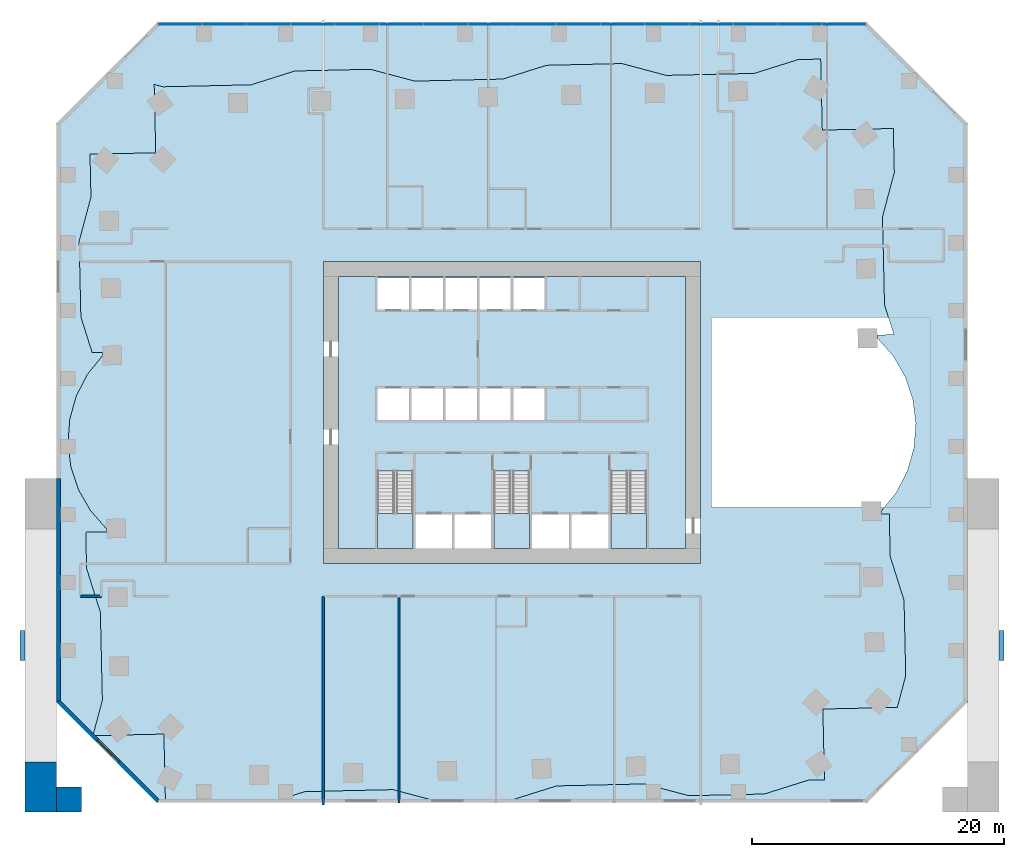
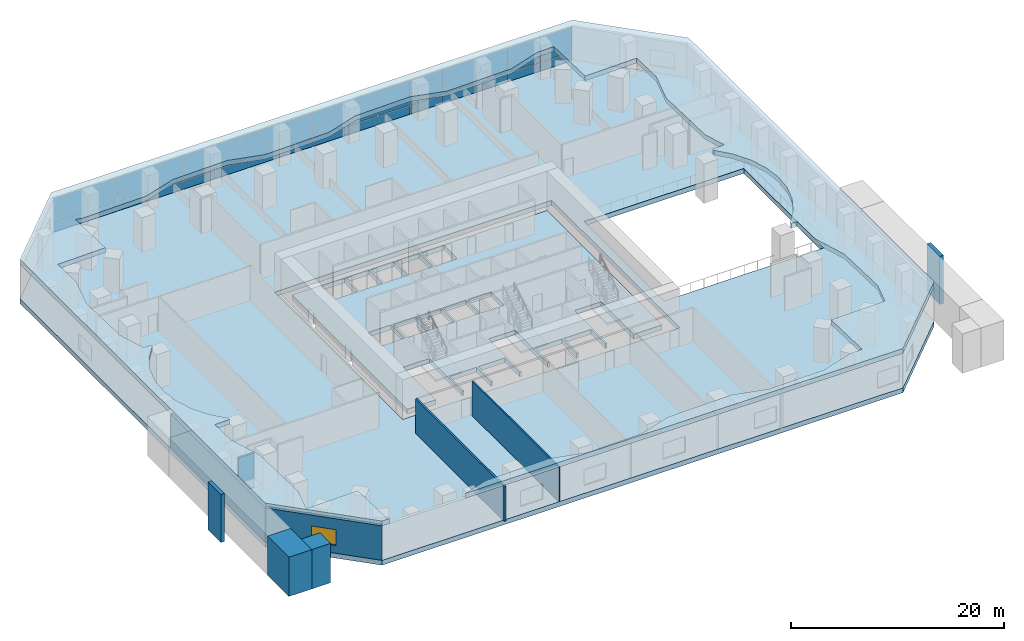
# One storey, part 4 of 12: 34 plates, 7 walls, 6 slabs, 1 window, 1 opening, 4 elements without a shape of their own.
"""IFC4 building model written with IfcOpenShell, lengths in metres."""

from ifc_helpers import new_model, si_unit, direction, frame, frame_2d, origin, origin_2d, place, context, subcontext, project, spatial, polyline, rectangle, outline, extrude, material, layer, layer_set, type_object, element, fill, aggregate, save


model = new_model("IFC4")

# Units and contexts
model_context = context("Model", 3, precision=1e-05, world=origin(), true_north=direction((0.0, 1.0)))
body_context = subcontext(model_context, "Body", "Model", "MODEL_VIEW")
ifc_project = project(units=[si_unit("LENGTHUNIT", "METRE"), si_unit("AREAUNIT", "SQUARE_METRE"), si_unit("VOLUMEUNIT", "CUBIC_METRE"), si_unit("PLANEANGLEUNIT", "RADIAN"), si_unit("MASSUNIT", "GRAM", prefix="KILO")], contexts=[model_context])

# Site, building, storey
site_placement = place(None, origin())
site = spatial("IfcSite", under=ifc_project, at=site_placement, CompositionType="ELEMENT")
building_placement = place(site_placement, origin())
building = spatial("IfcBuilding", under=site, at=building_placement, Name="Mangrove Gate Tower", CompositionType="ELEMENT")
storey_placement = place(building_placement, frame((0.0, 0.0, 25.0)))
storey = spatial("IfcBuildingStorey", under=building, at=storey_placement, Name="L05", CompositionType="ELEMENT", Elevation=25.0)

# Slab
ifc_material_1 = material(Name="Concrete C40/50", Category="concrete")
ifc_layer_1 = layer(ifc_material_1, 0.550048828125)
ifc_layer_set_1 = layer_set([ifc_layer_1], Name="Core floor slab 550 C40/50")
slab_type_1 = type_object("IfcSlabType", Name="Core floor slab 550 C40/50", PredefinedType="FLOOR", material=ifc_layer_set_1)
slab_1_placement = place(storey_placement, frame((0.0, 0.0, -0.550048828125)))
element("IfcSlab", 1, at=slab_1_placement, inside=storey, type_object=slab_type_1, Name="SLAB-L05-CORE-1", PredefinedType="FLOOR", context=body_context, shape_type="SweptSolid", body=[
    extrude(outline(polyline([(-13.800048828125, -10.800048828125), (-13.800048828125, 10.800048828125), (13.800048828125, 10.800048828125), (13.800048828125, -10.800048828125), (10.699951171875, -10.800048828125), (10.699951171875, -4.653076171875), (7.85009765625, -4.653076171875), (7.85009765625, -10.800048828125), (7.64990234375, -10.800048828125), (7.64990234375, -8.10009765625), (4.72509765625, -8.10009765625), (4.72509765625, -10.800048828125), (4.52490234375, -10.800048828125), (4.52490234375, -8.10009765625), (1.60009765625, -8.10009765625), (1.60009765625, -10.800048828125), (1.39990234375, -10.800048828125), (1.39990234375, -4.653076171875), (-1.449951171875, -4.653076171875), (-1.449951171875, -10.800048828125), (-1.64990234375, -10.800048828125), (-1.64990234375, -8.10009765625), (-4.550048828125, -8.10009765625), (-4.550048828125, -10.800048828125), (-4.75, -10.800048828125), (-4.75, -8.10009765625), (-7.64990234375, -8.10009765625), (-7.64990234375, -10.800048828125), (-7.85009765625, -10.800048828125), (-7.85009765625, -4.653076171875), (-10.699951171875, -4.653076171875), (-10.699951171875, -10.800048828125), (-13.800048828125, -10.800048828125)]), holes=[polyline([(-8.199951171875, -0.60009765625), (-8.199951171875, 1.89990234375), (-10.699951171875, 1.89990234375), (-10.699951171875, -0.60009765625), (-8.199951171875, -0.60009765625)]), polyline([(-5.5, -0.60009765625), (-5.5, 1.89990234375), (-8.0, 1.89990234375), (-8.0, -0.60009765625), (-5.5, -0.60009765625)]), polyline([(-2.800048828125, -0.60009765625), (-2.800048828125, 1.89990234375), (-5.300048828125, 1.89990234375), (-5.300048828125, -0.60009765625), (-2.800048828125, -0.60009765625)]), polyline([(-8.199951171875, 8.199951171875), (-8.199951171875, 10.699951171875), (-10.699951171875, 10.699951171875), (-10.699951171875, 8.199951171875), (-8.199951171875, 8.199951171875)]), polyline([(-5.5, 8.199951171875), (-5.5, 10.699951171875), (-8.0, 10.699951171875), (-8.0, 8.199951171875), (-5.5, 8.199951171875)]), polyline([(-2.800048828125, 8.199951171875), (-2.800048828125, 10.699951171875), (-5.300048828125, 10.699951171875), (-5.300048828125, 8.199951171875), (-2.800048828125, 8.199951171875)]), polyline([(-0.10009765625, -0.60009765625), (-0.10009765625, 1.89990234375), (-2.60009765625, 1.89990234375), (-2.60009765625, -0.60009765625), (-0.10009765625, -0.60009765625)]), polyline([(2.60009765625, -0.60009765625), (2.60009765625, 1.89990234375), (0.10009765625, 1.89990234375), (0.10009765625, -0.60009765625), (2.60009765625, -0.60009765625)]), polyline([(-2.60009765625, 8.199951171875), (-0.10009765625, 8.199951171875), (-0.10009765625, 10.699951171875), (-2.60009765625, 10.699951171875), (-2.60009765625, 8.199951171875)]), polyline([(0.10009765625, 8.199951171875), (2.60009765625, 8.199951171875), (2.60009765625, 10.699951171875), (0.10009765625, 10.699951171875), (0.10009765625, 8.199951171875)])]), origin(), (0.0, 0.0, 1.0), 0.550048828125),
])

# Stair, slab
ifc_material_2 = material(Name="Concrete C40/50", Category="concrete")
stair_type = type_object("IfcStairType", Name="Core stair 1350", PredefinedType="HALF_TURN_STAIR", material=ifc_material_2)
stair_1_placement = place(storey_placement, origin())
stair_1 = element("IfcStair", 2, at=stair_1_placement, inside=storey, type_object=stair_type, Name="L05 Stair 1", PredefinedType="HALF_TURN_STAIR")
ifc_material_3 = material(Name="Concrete C40/50", Category="concrete")
ifc_layer_2 = layer(ifc_material_3, 0.199951171875)
ifc_layer_set_2 = layer_set([ifc_layer_2], Name="Core stair landing 200")
slab_type_2 = type_object("IfcSlabType", Name="Core stair landing 200", PredefinedType="LANDING", material=ifc_layer_set_2)
slab_2_placement = place(storey_placement, frame((0.0, 0.0, 2.050048828125)))
slab_2 = element("IfcSlab", 3, at=slab_2_placement, type_object=slab_type_2, Name="ST1 landing 1", PredefinedType="LANDING", context=body_context, shape_type="SweptSolid", body=[
    extrude(outline(polyline([(-10.699951171875, -8.010009765625), (-10.699951171875, -10.800048828125), (-7.85009765625, -10.800048828125), (-7.85009765625, -8.010009765625), (-10.699951171875, -8.010009765625)])), origin(), (0.0, 0.0, 1.0), 0.199951171875),
])
aggregate(stair_1, [slab_2])

stair_2_placement = place(storey_placement, origin())
stair_2 = element("IfcStair", 4, at=stair_2_placement, inside=storey, type_object=stair_type, Name="L05 Stair 2", PredefinedType="HALF_TURN_STAIR")
slab_3_placement = place(storey_placement, frame((0.0, 0.0, 2.050048828125)))
slab_3 = element("IfcSlab", 5, at=slab_3_placement, type_object=slab_type_2, Name="ST2 landing 1", PredefinedType="LANDING", context=body_context, shape_type="SweptSolid", body=[
    extrude(outline(polyline([(-1.449951171875, -8.010009765625), (-1.449951171875, -10.800048828125), (1.39990234375, -10.800048828125), (1.39990234375, -8.010009765625), (-1.449951171875, -8.010009765625)])), origin(), (0.0, 0.0, 1.0), 0.199951171875),
])
aggregate(stair_2, [slab_3])

stair_3_placement = place(storey_placement, origin())
stair_3 = element("IfcStair", 6, at=stair_3_placement, inside=storey, type_object=stair_type, Name="L05 Stair 3", PredefinedType="HALF_TURN_STAIR")
slab_4_placement = place(storey_placement, frame((0.0, 0.0, 2.050048828125)))
slab_4 = element("IfcSlab", 7, at=slab_4_placement, type_object=slab_type_2, Name="ST3 landing 1", PredefinedType="LANDING", context=body_context, shape_type="SweptSolid", body=[
    extrude(outline(polyline([(7.85009765625, -8.010009765625), (7.85009765625, -10.800048828125), (10.699951171875, -10.800048828125), (10.699951171875, -8.010009765625), (7.85009765625, -8.010009765625)])), origin(), (0.0, 0.0, 1.0), 0.199951171875),
])
aggregate(stair_3, [slab_4])

# Slab
ifc_material_4 = material(Name="Concrete C40/50", Category="concrete")
ifc_layer_3 = layer(ifc_material_4, 0.550048828125)
ifc_layer_set_3 = layer_set([ifc_layer_3], Name="Floor slab 550 C40/50")
slab_type_3 = type_object("IfcSlabType", Name="Floor slab 550 C40/50", PredefinedType="FLOOR", material=ifc_layer_set_3)
slab_5_placement = place(storey_placement, frame((0.0, 0.0, -0.550048828125)))
element("IfcSlab", 8, at=slab_5_placement, inside=storey, type_object=slab_type_3, Name="Floor slab L05", PredefinedType="FLOOR", context=body_context, shape_type="SweptSolid", body=[
    extrude(outline(polyline([(-36.199951171875, 23.0), (-36.199951171875, -23.0), (-28.199951171875, -31.0), (28.199951171875, -31.0), (36.199951171875, -23.0), (36.199951171875, 23.0), (28.199951171875, 31.0), (-28.199951171875, 31.0), (-36.199951171875, 23.0)]), holes=[polyline([(15.89990234375, 7.5), (33.199951171875, 7.5), (33.199951171875, -7.5), (15.89990234375, -7.5), (15.89990234375, 7.5)]), polyline([(-15.0, -12.0), (-15.0, 12.0), (15.0, 12.0), (15.0, -12.0), (-15.0, -12.0)])]), origin(), (0.0, 0.0, 1.0), 0.550048828125),
])

# Plates
ifc_material_5 = material(Name="Limestone cladding", Category="masonry")
ifc_layer_4 = layer(ifc_material_5, 2.5)
ifc_layer_set_4 = layer_set([ifc_layer_4], Name="Limestone arch panel")
plate_type_1 = type_object("IfcPlateType", Name="Limestone arch panel", PredefinedType="SHEET", material=ifc_layer_set_4)
for number, where, z_axis, x_axis, name in (
    (9, (38.89990234375, -18.5, -1.0), (0.0, 0.0, 1.0), (1.0, 0.0, 0.0), "ARCH KEYSTONE E"),
    (10, (-38.89990234375, -18.5, -1.0), (0.0, 0.0, 1.0), (1.0, 0.0, 0.0), "ARCH KEYSTONE W"),
):
    element("IfcPlate", number, at=place(storey_placement, frame(where, z_axis=z_axis, x_axis=x_axis)), inside=storey, type_object=plate_type_1, Name=name, PredefinedType="SHEET", context=body_context, shape_type="SweptSolid", body=[
        extrude(rectangle(XDim=0.39990234375, YDim=2.39990234375, at=origin_2d()), origin(), (0.0, 0.0, 1.0), 5.5),
    ])

# Curtain wall, plates
ifc_material_6 = material(Name="Aluminium and glass curtain wall", Category="aluminium")
curtain_wall_type = type_object("IfcCurtainWallType", Name="Podium amenity glazing wall", PredefinedType="NOTDEFINED", material=ifc_material_6)
curtain_wall_placement = place(storey_placement, origin())
curtain_wall = element("IfcCurtainWall", 11, at=curtain_wall_placement, inside=storey, type_object=curtain_wall_type, Name="Podium amenity glazing N3", PredefinedType="NOTDEFINED")
ifc_material_7 = material(Name="Laminated low-e glass", Category="glass")
ifc_layer_5 = layer(ifc_material_7, 0.028076171875)
ifc_layer_set_5 = layer_set([ifc_layer_5], Name="Podium amenity glazing panel 28")
plate_type_2 = type_object("IfcPlateType", Name="Podium amenity glazing panel 28", PredefinedType="CURTAIN_PANEL", material=ifc_layer_set_5)
plate_1_placement = place(storey_placement, frame((26.3642578125, 30.85009765625, 0.0), z_axis=(0.0, 0.0, 1.0), x_axis=(-1.0, 0.0, 0.0)))
plate_1 = element("IfcPlate", 12, at=plate_1_placement, type_object=plate_type_2, Name="CWP panel 1.1", PredefinedType="CURTAIN_PANEL", context=body_context, shape_type="SweptSolid", body=[
    extrude(rectangle(XDim=3.42724609375, YDim=0.028076171875, at=origin_2d()), origin(), (0.0, 0.0, 1.0), 0.969970703125),
])
plate_2_placement = place(storey_placement, frame((26.3642578125, 30.85009765625, 1.02978515625), z_axis=(0.0, 0.0, 1.0), x_axis=(-1.0, 0.0, 0.0)))
plate_2 = element("IfcPlate", 13, at=plate_2_placement, type_object=plate_type_2, Name="CWP panel 1.2", PredefinedType="CURTAIN_PANEL", context=body_context, shape_type="SweptSolid", body=[
    extrude(rectangle(XDim=3.42724609375, YDim=0.028076171875, at=origin_2d()), origin(), (0.0, 0.0, 1.0), 2.860107421875),
])
plate_3_placement = place(storey_placement, frame((22.862060546875, 30.85009765625, 0.0), z_axis=(0.0, 0.0, 1.0), x_axis=(-1.0, 0.0, 0.0)))
plate_3 = element("IfcPlate", 14, at=plate_3_placement, type_object=plate_type_2, Name="CWP panel 2.1", PredefinedType="CURTAIN_PANEL", context=body_context, shape_type="SweptSolid", body=[
    extrude(rectangle(XDim=3.457275390625, YDim=0.028076171875, at=origin_2d()), origin(), (0.0, 0.0, 1.0), 0.969970703125),
])
plate_4_placement = place(storey_placement, frame((22.862060546875, 30.85009765625, 1.02978515625), z_axis=(0.0, 0.0, 1.0), x_axis=(-1.0, 0.0, 0.0)))
plate_4 = element("IfcPlate", 15, at=plate_4_placement, type_object=plate_type_2, Name="CWP panel 2.2", PredefinedType="CURTAIN_PANEL", context=body_context, shape_type="SweptSolid", body=[
    extrude(rectangle(XDim=3.457275390625, YDim=0.028076171875, at=origin_2d()), origin(), (0.0, 0.0, 1.0), 2.860107421875),
])
plate_5_placement = place(storey_placement, frame((19.3447265625, 30.85009765625, 0.0), z_axis=(0.0, 0.0, 1.0), x_axis=(-1.0, 0.0, 0.0)))
plate_5 = element("IfcPlate", 16, at=plate_5_placement, type_object=plate_type_2, Name="CWP panel 3.1", PredefinedType="CURTAIN_PANEL", context=body_context, shape_type="SweptSolid", body=[
    extrude(rectangle(XDim=3.457275390625, YDim=0.028076171875, at=origin_2d()), origin(), (0.0, 0.0, 1.0), 0.969970703125),
])
plate_6_placement = place(storey_placement, frame((19.3447265625, 30.85009765625, 1.02978515625), z_axis=(0.0, 0.0, 1.0), x_axis=(-1.0, 0.0, 0.0)))
plate_6 = element("IfcPlate", 17, at=plate_6_placement, type_object=plate_type_2, Name="CWP panel 3.2", PredefinedType="CURTAIN_PANEL", context=body_context, shape_type="SweptSolid", body=[
    extrude(rectangle(XDim=3.457275390625, YDim=0.028076171875, at=origin_2d()), origin(), (0.0, 0.0, 1.0), 2.860107421875),
])
plate_7_placement = place(storey_placement, frame((15.82763671875, 30.85009765625, 0.0), z_axis=(0.0, 0.0, 1.0), x_axis=(-1.0, 0.0, 0.0)))
plate_7 = element("IfcPlate", 18, at=plate_7_placement, type_object=plate_type_2, Name="CWP panel 4.1", PredefinedType="CURTAIN_PANEL", context=body_context, shape_type="SweptSolid", body=[
    extrude(rectangle(XDim=3.457275390625, YDim=0.028076171875, at=origin_2d()), origin(), (0.0, 0.0, 1.0), 0.969970703125),
])
plate_8_placement = place(storey_placement, frame((15.82763671875, 30.85009765625, 1.02978515625), z_axis=(0.0, 0.0, 1.0), x_axis=(-1.0, 0.0, 0.0)))
plate_8 = element("IfcPlate", 19, at=plate_8_placement, type_object=plate_type_2, Name="CWP panel 4.2", PredefinedType="CURTAIN_PANEL", context=body_context, shape_type="SweptSolid", body=[
    extrude(rectangle(XDim=3.457275390625, YDim=0.028076171875, at=origin_2d()), origin(), (0.0, 0.0, 1.0), 2.860107421875),
])
plate_9_placement = place(storey_placement, frame((12.310302734375, 30.85009765625, 0.0), z_axis=(0.0, 0.0, 1.0), x_axis=(-1.0, 0.0, 0.0)))
plate_9 = element("IfcPlate", 20, at=plate_9_placement, type_object=plate_type_2, Name="CWP panel 5.1", PredefinedType="CURTAIN_PANEL", context=body_context, shape_type="SweptSolid", body=[
    extrude(rectangle(XDim=3.457275390625, YDim=0.028076171875, at=origin_2d()), origin(), (0.0, 0.0, 1.0), 0.969970703125),
])
plate_10_placement = place(storey_placement, frame((12.310302734375, 30.85009765625, 1.02978515625), z_axis=(0.0, 0.0, 1.0), x_axis=(-1.0, 0.0, 0.0)))
plate_10 = element("IfcPlate", 21, at=plate_10_placement, type_object=plate_type_2, Name="CWP panel 5.2", PredefinedType="CURTAIN_PANEL", context=body_context, shape_type="SweptSolid", body=[
    extrude(rectangle(XDim=3.457275390625, YDim=0.028076171875, at=origin_2d()), origin(), (0.0, 0.0, 1.0), 2.860107421875),
])
plate_11_placement = place(storey_placement, frame((8.79296875, 30.85009765625, 0.0), z_axis=(0.0, 0.0, 1.0), x_axis=(-1.0, 0.0, 0.0)))
plate_11 = element("IfcPlate", 22, at=plate_11_placement, type_object=plate_type_2, Name="CWP panel 6.1", PredefinedType="CURTAIN_PANEL", context=body_context, shape_type="SweptSolid", body=[
    extrude(rectangle(XDim=3.457275390625, YDim=0.028076171875, at=origin_2d()), origin(), (0.0, 0.0, 1.0), 0.969970703125),
])
plate_12_placement = place(storey_placement, frame((8.79296875, 30.85009765625, 1.02978515625), z_axis=(0.0, 0.0, 1.0), x_axis=(-1.0, 0.0, 0.0)))
plate_12 = element("IfcPlate", 23, at=plate_12_placement, type_object=plate_type_2, Name="CWP panel 6.2", PredefinedType="CURTAIN_PANEL", context=body_context, shape_type="SweptSolid", body=[
    extrude(rectangle(XDim=3.457275390625, YDim=0.028076171875, at=origin_2d()), origin(), (0.0, 0.0, 1.0), 2.860107421875),
])
plate_13_placement = place(storey_placement, frame((5.27587890625, 30.85009765625, 0.0), z_axis=(0.0, 0.0, 1.0), x_axis=(-1.0, 0.0, 0.0)))
plate_13 = element("IfcPlate", 24, at=plate_13_placement, type_object=plate_type_2, Name="CWP panel 7.1", PredefinedType="CURTAIN_PANEL", context=body_context, shape_type="SweptSolid", body=[
    extrude(rectangle(XDim=3.457275390625, YDim=0.028076171875, at=origin_2d()), origin(), (0.0, 0.0, 1.0), 0.969970703125),
])
plate_14_placement = place(storey_placement, frame((5.27587890625, 30.85009765625, 1.02978515625), z_axis=(0.0, 0.0, 1.0), x_axis=(-1.0, 0.0, 0.0)))
plate_14 = element("IfcPlate", 25, at=plate_14_placement, type_object=plate_type_2, Name="CWP panel 7.2", PredefinedType="CURTAIN_PANEL", context=body_context, shape_type="SweptSolid", body=[
    extrude(rectangle(XDim=3.457275390625, YDim=0.028076171875, at=origin_2d()), origin(), (0.0, 0.0, 1.0), 2.860107421875),
])
plate_15_placement = place(storey_placement, frame((1.758544921875, 30.85009765625, 0.0), z_axis=(0.0, 0.0, 1.0), x_axis=(-1.0, 0.0, 0.0)))
plate_15 = element("IfcPlate", 26, at=plate_15_placement, type_object=plate_type_2, Name="CWP panel 8.1", PredefinedType="CURTAIN_PANEL", context=body_context, shape_type="SweptSolid", body=[
    extrude(rectangle(XDim=3.457275390625, YDim=0.028076171875, at=origin_2d()), origin(), (0.0, 0.0, 1.0), 0.969970703125),
])
plate_16_placement = place(storey_placement, frame((1.758544921875, 30.85009765625, 1.02978515625), z_axis=(0.0, 0.0, 1.0), x_axis=(-1.0, 0.0, 0.0)))
plate_16 = element("IfcPlate", 27, at=plate_16_placement, type_object=plate_type_2, Name="CWP panel 8.2", PredefinedType="CURTAIN_PANEL", context=body_context, shape_type="SweptSolid", body=[
    extrude(rectangle(XDim=3.457275390625, YDim=0.028076171875, at=origin_2d()), origin(), (0.0, 0.0, 1.0), 2.860107421875),
])
plate_17_placement = place(storey_placement, frame((-1.758544921875, 30.85009765625, 0.0), z_axis=(0.0, 0.0, 1.0), x_axis=(-1.0, 0.0, 0.0)))
plate_17 = element("IfcPlate", 28, at=plate_17_placement, type_object=plate_type_2, Name="CWP panel 9.1", PredefinedType="CURTAIN_PANEL", context=body_context, shape_type="SweptSolid", body=[
    extrude(rectangle(XDim=3.457275390625, YDim=0.028076171875, at=origin_2d()), origin(), (0.0, 0.0, 1.0), 0.969970703125),
])
plate_18_placement = place(storey_placement, frame((-1.758544921875, 30.85009765625, 1.02978515625), z_axis=(0.0, 0.0, 1.0), x_axis=(-1.0, 0.0, 0.0)))
plate_18 = element("IfcPlate", 29, at=plate_18_placement, type_object=plate_type_2, Name="CWP panel 9.2", PredefinedType="CURTAIN_PANEL", context=body_context, shape_type="SweptSolid", body=[
    extrude(rectangle(XDim=3.457275390625, YDim=0.028076171875, at=origin_2d()), origin(), (0.0, 0.0, 1.0), 2.860107421875),
])
plate_19_placement = place(storey_placement, frame((-5.27587890625, 30.85009765625, 0.0), z_axis=(0.0, 0.0, 1.0), x_axis=(-1.0, 0.0, 0.0)))
plate_19 = element("IfcPlate", 30, at=plate_19_placement, type_object=plate_type_2, Name="CWP panel 10.1", PredefinedType="CURTAIN_PANEL", context=body_context, shape_type="SweptSolid", body=[
    extrude(rectangle(XDim=3.457275390625, YDim=0.028076171875, at=origin_2d()), origin(), (0.0, 0.0, 1.0), 0.969970703125),
])
plate_20_placement = place(storey_placement, frame((-5.27587890625, 30.85009765625, 1.02978515625), z_axis=(0.0, 0.0, 1.0), x_axis=(-1.0, 0.0, 0.0)))
plate_20 = element("IfcPlate", 31, at=plate_20_placement, type_object=plate_type_2, Name="CWP panel 10.2", PredefinedType="CURTAIN_PANEL", context=body_context, shape_type="SweptSolid", body=[
    extrude(rectangle(XDim=3.457275390625, YDim=0.028076171875, at=origin_2d()), origin(), (0.0, 0.0, 1.0), 2.860107421875),
])
plate_21_placement = place(storey_placement, frame((-8.79296875, 30.85009765625, 0.0), z_axis=(0.0, 0.0, 1.0), x_axis=(-1.0, 0.0, 0.0)))
plate_21 = element("IfcPlate", 32, at=plate_21_placement, type_object=plate_type_2, Name="CWP panel 11.1", PredefinedType="CURTAIN_PANEL", context=body_context, shape_type="SweptSolid", body=[
    extrude(rectangle(XDim=3.457275390625, YDim=0.028076171875, at=origin_2d()), origin(), (0.0, 0.0, 1.0), 0.969970703125),
])
plate_22_placement = place(storey_placement, frame((-8.79296875, 30.85009765625, 1.02978515625), z_axis=(0.0, 0.0, 1.0), x_axis=(-1.0, 0.0, 0.0)))
plate_22 = element("IfcPlate", 33, at=plate_22_placement, type_object=plate_type_2, Name="CWP panel 11.2", PredefinedType="CURTAIN_PANEL", context=body_context, shape_type="SweptSolid", body=[
    extrude(rectangle(XDim=3.457275390625, YDim=0.028076171875, at=origin_2d()), origin(), (0.0, 0.0, 1.0), 2.860107421875),
])
plate_23_placement = place(storey_placement, frame((-12.310302734375, 30.85009765625, 0.0), z_axis=(0.0, 0.0, 1.0), x_axis=(-1.0, 0.0, 0.0)))
plate_23 = element("IfcPlate", 34, at=plate_23_placement, type_object=plate_type_2, Name="CWP panel 12.1", PredefinedType="CURTAIN_PANEL", context=body_context, shape_type="SweptSolid", body=[
    extrude(rectangle(XDim=3.457275390625, YDim=0.028076171875, at=origin_2d()), origin(), (0.0, 0.0, 1.0), 0.969970703125),
])
plate_24_placement = place(storey_placement, frame((-12.310302734375, 30.85009765625, 1.02978515625), z_axis=(0.0, 0.0, 1.0), x_axis=(-1.0, 0.0, 0.0)))
plate_24 = element("IfcPlate", 35, at=plate_24_placement, type_object=plate_type_2, Name="CWP panel 12.2", PredefinedType="CURTAIN_PANEL", context=body_context, shape_type="SweptSolid", body=[
    extrude(rectangle(XDim=3.457275390625, YDim=0.028076171875, at=origin_2d()), origin(), (0.0, 0.0, 1.0), 2.860107421875),
])
plate_25_placement = place(storey_placement, frame((-15.82763671875, 30.85009765625, 0.0), z_axis=(0.0, 0.0, 1.0), x_axis=(-1.0, 0.0, 0.0)))
plate_25 = element("IfcPlate", 36, at=plate_25_placement, type_object=plate_type_2, Name="CWP panel 13.1", PredefinedType="CURTAIN_PANEL", context=body_context, shape_type="SweptSolid", body=[
    extrude(rectangle(XDim=3.457275390625, YDim=0.028076171875, at=origin_2d()), origin(), (0.0, 0.0, 1.0), 0.969970703125),
])
plate_26_placement = place(storey_placement, frame((-15.82763671875, 30.85009765625, 1.02978515625), z_axis=(0.0, 0.0, 1.0), x_axis=(-1.0, 0.0, 0.0)))
plate_26 = element("IfcPlate", 37, at=plate_26_placement, type_object=plate_type_2, Name="CWP panel 13.2", PredefinedType="CURTAIN_PANEL", context=body_context, shape_type="SweptSolid", body=[
    extrude(rectangle(XDim=3.457275390625, YDim=0.028076171875, at=origin_2d()), origin(), (0.0, 0.0, 1.0), 2.860107421875),
])
plate_27_placement = place(storey_placement, frame((-19.3447265625, 30.85009765625, 0.0), z_axis=(0.0, 0.0, 1.0), x_axis=(-1.0, 0.0, 0.0)))
plate_27 = element("IfcPlate", 38, at=plate_27_placement, type_object=plate_type_2, Name="CWP panel 14.1", PredefinedType="CURTAIN_PANEL", context=body_context, shape_type="SweptSolid", body=[
    extrude(rectangle(XDim=3.457275390625, YDim=0.028076171875, at=origin_2d()), origin(), (0.0, 0.0, 1.0), 0.969970703125),
])
plate_28_placement = place(storey_placement, frame((-19.3447265625, 30.85009765625, 1.02978515625), z_axis=(0.0, 0.0, 1.0), x_axis=(-1.0, 0.0, 0.0)))
plate_28 = element("IfcPlate", 39, at=plate_28_placement, type_object=plate_type_2, Name="CWP panel 14.2", PredefinedType="CURTAIN_PANEL", context=body_context, shape_type="SweptSolid", body=[
    extrude(rectangle(XDim=3.457275390625, YDim=0.028076171875, at=origin_2d()), origin(), (0.0, 0.0, 1.0), 2.860107421875),
])
plate_29_placement = place(storey_placement, frame((-22.862060546875, 30.85009765625, 0.0), z_axis=(0.0, 0.0, 1.0), x_axis=(-1.0, 0.0, 0.0)))
plate_29 = element("IfcPlate", 40, at=plate_29_placement, type_object=plate_type_2, Name="CWP panel 15.1", PredefinedType="CURTAIN_PANEL", context=body_context, shape_type="SweptSolid", body=[
    extrude(rectangle(XDim=3.457275390625, YDim=0.028076171875, at=origin_2d()), origin(), (0.0, 0.0, 1.0), 0.969970703125),
])
plate_30_placement = place(storey_placement, frame((-22.862060546875, 30.85009765625, 1.02978515625), z_axis=(0.0, 0.0, 1.0), x_axis=(-1.0, 0.0, 0.0)))
plate_30 = element("IfcPlate", 41, at=plate_30_placement, type_object=plate_type_2, Name="CWP panel 15.2", PredefinedType="CURTAIN_PANEL", context=body_context, shape_type="SweptSolid", body=[
    extrude(rectangle(XDim=3.457275390625, YDim=0.028076171875, at=origin_2d()), origin(), (0.0, 0.0, 1.0), 2.860107421875),
])
plate_31_placement = place(storey_placement, frame((-26.3642578125, 30.85009765625, 0.0), z_axis=(0.0, 0.0, 1.0), x_axis=(-1.0, 0.0, 0.0)))
plate_31 = element("IfcPlate", 42, at=plate_31_placement, type_object=plate_type_2, Name="CWP panel 16.1", PredefinedType="CURTAIN_PANEL", context=body_context, shape_type="SweptSolid", body=[
    extrude(rectangle(XDim=3.42724609375, YDim=0.028076171875, at=origin_2d()), origin(), (0.0, 0.0, 1.0), 0.969970703125),
])
plate_32_placement = place(storey_placement, frame((-26.3642578125, 30.85009765625, 1.02978515625), z_axis=(0.0, 0.0, 1.0), x_axis=(-1.0, 0.0, 0.0)))
plate_32 = element("IfcPlate", 43, at=plate_32_placement, type_object=plate_type_2, Name="CWP panel 16.2", PredefinedType="CURTAIN_PANEL", context=body_context, shape_type="SweptSolid", body=[
    extrude(rectangle(XDim=3.42724609375, YDim=0.028076171875, at=origin_2d()), origin(), (0.0, 0.0, 1.0), 2.860107421875),
])
aggregate(curtain_wall, [plate_1, plate_2, plate_3, plate_4, plate_5, plate_6, plate_7, plate_8, plate_9, plate_10, plate_11, plate_12, plate_13, plate_14, plate_15, plate_16, plate_17, plate_18, plate_19, plate_20, plate_21, plate_22, plate_23, plate_24, plate_25, plate_26, plate_27, plate_28, plate_29, plate_30, plate_31, plate_32])

# Slab
ifc_material_8 = material(Name="Concrete C40/50", Category="concrete")
ifc_layer_6 = layer(ifc_material_8, 0.550048828125)
ifc_layer_set_6 = layer_set([ifc_layer_6], Name="Podium deck slab 550 C40/50")
slab_type_4 = type_object("IfcSlabType", Name="Podium deck slab 550 C40/50", PredefinedType="ROOF", material=ifc_layer_set_6)
slab_6_placement = place(storey_placement, frame((0.0, 0.0, 3.949951171875)))
element("IfcSlab", 44, at=slab_6_placement, inside=storey, type_object=slab_type_4, Name="Podium green roof L05", PredefinedType="ROOF", context=body_context, shape_type="SweptSolid", body=[
    extrude(outline(polyline([(-28.199951171875, 31.0), (-36.199951171875, 23.0), (-36.199951171875, -23.0), (-28.199951171875, -31.0), (-27.31494140625, -31.0), (-27.313232421875, -30.986083984375), (-27.5419921875, -30.925048828125), (-27.66455078125, -25.547607421875), (-33.303955078125, -25.675048828125), (-32.553955078125, -22.85791015625), (-32.712890625, -15.860107421875), (-33.80908203125, -12.384033203125), (-33.8740234375, -9.510009765625), (-32.23046875, -9.471923828125), (-32.236083984375, -9.222412109375), (-33.4990234375, -7.785888671875), (-34.4521484375, -6.12744140625), (-35.0576171875, -4.31298828125), (-35.291259765625, -2.41455078125), (-35.14404296875, -0.507568359375), (-34.62158203125, 1.33251953125), (-33.74462890625, 3.032470703125), (-32.548095703125, 4.524658203125), (-32.5537109375, 4.77490234375), (-33.362060546875, 4.756103515625), (-34.262939453125, 7.611083984375), (-34.39892578125, 13.610107421875), (-33.4609375, 17.132080078125), (-33.5380859375, 20.531005859375), (-28.312744140625, 20.649658203125), (-28.43603515625, 26.0791015625), (-27.73193359375, 25.89111328125), (-20.73291015625, 26.050048828125), (-17.257080078125, 27.14697265625), (-11.259033203125, 27.282958984375), (-7.737060546875, 26.344970703125), (-0.739013671875, 26.50390625), (2.738037109375, 27.60009765625), (8.736083984375, 27.737060546875), (12.258056640625, 26.799072265625), (19.256103515625, 26.9580078125), (22.73193359375, 28.053955078125), (24.531982421875, 28.094970703125), (24.659912109375, 22.451904296875), (30.302978515625, 22.580078125), (30.382080078125, 19.0810546875), (29.445068359375, 15.55908203125), (29.60302734375, 8.56103515625), (30.346923828125, 6.201904296875), (29.030517578125, 6.172119140625), (29.0361328125, 5.92236328125), (30.299072265625, 4.48583984375), (31.252197265625, 2.827392578125), (31.857666015625, 1.012939453125), (32.09130859375, -0.885498046875), (31.944091796875, -2.79248046875), (31.42138671875, -4.632568359375), (30.544677734375, -6.33251953125), (29.34814453125, -7.82470703125), (29.353759765625, -8.074951171875), (29.98095703125, -8.06005859375), (30.056884765625, -11.43408203125), (31.154052734375, -14.909912109375), (31.2900390625, -20.908935546875), (30.6201171875, -23.425048828125), (24.703857421875, -23.558837890625), (24.8310546875, -29.18408203125), (23.531982421875, -29.214111328125), (20.055908203125, -30.31103515625), (14.056884765625, -30.447021484375), (10.534912109375, -29.509033203125), (3.537109375, -29.66796875), (0.06103515625, -30.763916015625), (-1.339111328125, -30.7958984375), (-5.93798828125, -30.89990234375), (-9.4599609375, -29.962890625), (-16.4580078125, -30.12109375), (-19.212890625, -30.990478515625), (-19.21142578125, -31.0), (28.199951171875, -31.0), (36.199951171875, -23.0), (36.199951171875, 23.0), (28.199951171875, 31.0), (-28.199951171875, 31.0)])), origin(), (0.0, 0.0, 1.0), 0.550048828125),
])

# Walls
ifc_material_9 = material(Name="Gypsum board on steel stud, EI 60", Category="steel")
ifc_layer_7 = layer(ifc_material_9, 0.199951171875)
ifc_layer_set_7 = layer_set([ifc_layer_7], Name="Corridor wall EI 60")
wall_type_1 = type_object("IfcWallType", Name="Corridor wall EI 60", PredefinedType="PARTITIONING", material=ifc_layer_set_7)
wall_1_placement = place(storey_placement, frame((-15.0, -31.199951171875, 0.0), z_axis=(0.0, 0.0, 1.0), x_axis=(0.0, 1.0, 0.0)))
element("IfcWall", 45, at=wall_1_placement, inside=storey, type_object=wall_type_1, Name="WALL-L05-001", PredefinedType="PARTITIONING", context=body_context, shape_type="SweptSolid", body=[
    extrude(rectangle(XDim=16.599853515625, YDim=0.199951171875, at=frame_2d((8.2998046875, 0.0))), origin(), (0.0, 0.0, 1.0), 3.949951171875),
])
wall_2_placement = place(storey_placement, frame((-34.300048828125, -14.60009765625, 0.0), z_axis=(0.0, 0.0, 1.0), x_axis=(1.0, 0.0, 0.0)))
element("IfcWall", 46, at=wall_2_placement, inside=storey, type_object=wall_type_1, Name="WALL-L05-008", PredefinedType="PARTITIONING", context=body_context, shape_type="SweptSolid", body=[
    extrude(rectangle(XDim=1.6630859375, YDim=0.199951171875, at=frame_2d((0.83154296875, 0.0))), origin(), (0.0, 0.0, 1.0), 3.949951171875),
])
ifc_material_10 = material(Name="Limestone", Category="masonry")
ifc_layer_8 = layer(ifc_material_10, 0.0400390625, Name="Limestone cladding")
ifc_material_11 = material(Name="Ventilated air gap")
ifc_layer_9 = layer(ifc_material_11, 0.0400390625, Name="Ventilated cavity")
ifc_material_12 = material(Name="Mineral wool insulation")
ifc_layer_10 = layer(ifc_material_12, 0.06005859375, Name="Insulation")
ifc_material_13 = material(Name="Breather membrane")
ifc_layer_11 = layer(ifc_material_13, 0.001953125, Name="Breather membrane")
ifc_material_14 = material(Name="Concrete C20/25 blockwork", Category="masonry")
ifc_layer_12 = layer(ifc_material_14, 0.14990234375, Name="Blockwork backing wall")
ifc_material_15 = material(Name="Gypsum plaster")
ifc_layer_13 = layer(ifc_material_15, 0.008056640625, Name="Internal plaster")
ifc_layer_set_8 = layer_set([ifc_layer_8, ifc_layer_9, ifc_layer_10, ifc_layer_11, ifc_layer_12, ifc_layer_13], Name="External wall 300 limestone cladding")
wall_type_2 = type_object("IfcWallType", Name="External wall 300 limestone cladding", PredefinedType="SOLIDWALL", material=ifc_layer_set_8)
wall_3_placement = place(storey_placement, frame((-36.050048828125, -5.236083984375, 0.0), z_axis=(0.0, 0.0, 1.0), x_axis=(0.0, -1.0, 0.0)))
element("IfcWall", 47, at=wall_3_placement, inside=storey, type_object=wall_type_2, Name="WALL-L05-W3050", PredefinedType="SOLIDWALL", context=body_context, shape_type="SweptSolid", body=[
    extrude(rectangle(XDim=17.701904296875, YDim=0.300048828125, at=frame_2d((8.85107421875, 0.0))), origin(), (0.0, 0.0, 1.0), 3.949951171875),
])

# Wall, opening, window
wall_4_placement = place(storey_placement, frame((-36.050048828125, -22.93798828125, 0.0), z_axis=(0.0, 0.0, 1.0), x_axis=(0.707106781187, -0.707106781187, 0.0)))
wall_4 = element("IfcWall", 48, at=wall_4_placement, inside=storey, type_object=wall_type_2, Name="WALL-L05-S6", PredefinedType="SOLIDWALL", context=body_context, shape_type="SweptSolid", body=[
    extrude(rectangle(XDim=11.189453125, YDim=0.300048828125, at=frame_2d((5.5947265625, 0.0))), origin(), (0.0, 0.0, 1.0), 3.949951171875),
])
opening_placement = place(wall_4_placement, frame((4.39501953125, 0.0, 0.89990234375)))
opening = element("IfcOpeningElement", 49, at=opening_placement, cuts=wall_4, Name="Opening W3", PredefinedType="OPENING", context=body_context, shape_type="SweptSolid", body=[
    extrude(rectangle(XDim=2.39990234375, YDim=1.800048828125, at=frame_2d((1.199951171875, 0.89990234375))), frame((0.0, 0.159912109375, 0.0), z_axis=(0.0, -1.0, 0.0), x_axis=(1.0, 0.0, 0.0)), (0.0, 0.0, 1.0), 0.320068359375),
])
ifc_material_16 = material(Name="Aluminium frame with double-glazed low-e glass", Category="aluminium")
window_type = type_object("IfcWindowType", Name="Podium window 2400x1800", PartitioningType="DOUBLE_PANEL_VERTICAL", PredefinedType="WINDOW", material=ifc_material_16)
window_placement = place(opening_placement, origin())
window = element("IfcWindow", 50, at=window_placement, inside=storey, type_object=window_type, Name="WIN-L05-S6-1", OverallHeight=1.800048828125, OverallWidth=2.39990234375, PartitioningType="DOUBLE_PANEL_VERTICAL", PredefinedType="WINDOW", context=body_context, shape_type="SweptSolid", body=[
    extrude(rectangle(XDim=2.39990234375, YDim=1.800048828125, at=frame_2d((1.199951171875, 0.89990234375))), frame((0.0, 0.030029296875, 0.0), z_axis=(0.0, -1.0, 0.0), x_axis=(1.0, 0.0, 0.0)), (0.0, 0.0, 1.0), 0.06005859375),
])
fill(opening, window)

# Walls
ifc_material_17 = material(Name="Gypsum board on steel stud, EI 60", Category="steel")
ifc_layer_14 = layer(ifc_material_17, 0.14990234375)
ifc_layer_set_9 = layer_set([ifc_layer_14], Name="Party wall 150 EI 60")
wall_type_3 = type_object("IfcWallType", Name="Party wall 150 EI 60", PredefinedType="PARTITIONING", material=ifc_layer_set_9)
wall_5_placement = place(storey_placement, frame((-8.97998046875, -31.0, 0.0), z_axis=(0.0, 0.0, 1.0), x_axis=(0.0, 1.0, 0.0)))
element("IfcWall", 51, at=wall_5_placement, inside=storey, type_object=wall_type_3, Name="WALL-L05-002", PredefinedType="PARTITIONING", context=body_context, shape_type="SweptSolid", body=[
    extrude(rectangle(XDim=16.300048828125, YDim=0.14990234375, at=frame_2d((8.14990234375, 0.0))), origin(), (0.0, 0.0, 1.0), 3.949951171875),
])
ifc_layer_15 = layer(ifc_material_10, 0.06005859375, Name="Limestone cladding")
ifc_material_18 = material(Name="Concrete C40/50", Category="concrete")
ifc_layer_16 = layer(ifc_material_18, 2.340087890625, Name="Gate core wall")
ifc_layer_17 = layer(ifc_material_10, 0.10009765625, Name="Limestone reveal lining")
ifc_layer_set_10 = layer_set([ifc_layer_15, ifc_layer_16, ifc_layer_17], Name="Stone gate wall 2500")
wall_type_4 = type_object("IfcWallType", Name="Stone gate wall 2500", PredefinedType="STANDARD", material=ifc_layer_set_10)
wall_6_placement = place(storey_placement, frame((-37.449951171875, -31.75, 0.0), z_axis=(0.0, 0.0, 1.0), x_axis=(0.0, 1.0, 0.0)))
element("IfcWall", 52, at=wall_6_placement, inside=storey, type_object=wall_type_4, Name="ARCH PIER W 1", PredefinedType="STANDARD", context=body_context, shape_type="SweptSolid", body=[
    extrude(rectangle(XDim=4.0, YDim=2.5, at=frame_2d((2.0, 0.0))), origin(), (0.0, 0.0, 1.0), 4.5),
])
wall_7_placement = place(storey_placement, frame((-34.199951171875, -30.75, 0.0), z_axis=(0.0, 0.0, 1.0), x_axis=(-1.0, 0.0, 0.0)))
element("IfcWall", 53, at=wall_7_placement, inside=storey, type_object=wall_type_4, Name="ARCH RETURN W", PredefinedType="STANDARD", context=body_context, shape_type="SweptSolid", body=[
    extrude(rectangle(XDim=2.0, YDim=2.0, at=frame_2d((1.0, 0.0))), origin(), (0.0, 0.0, 1.0), 4.5),
])

save(model, "model.ifc")
